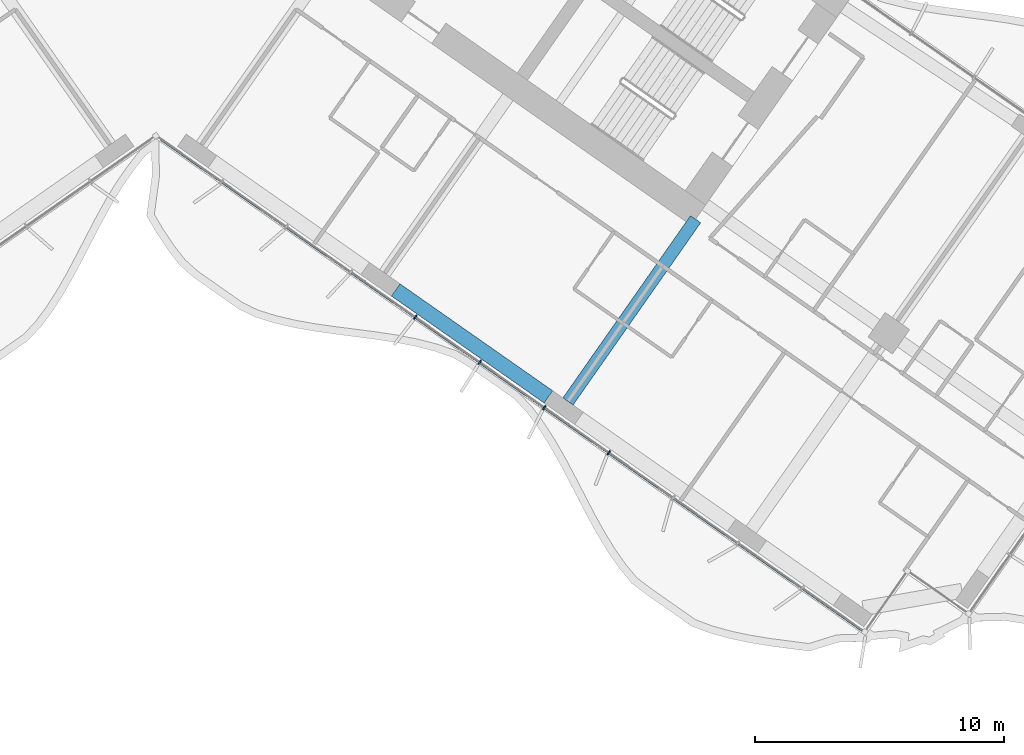
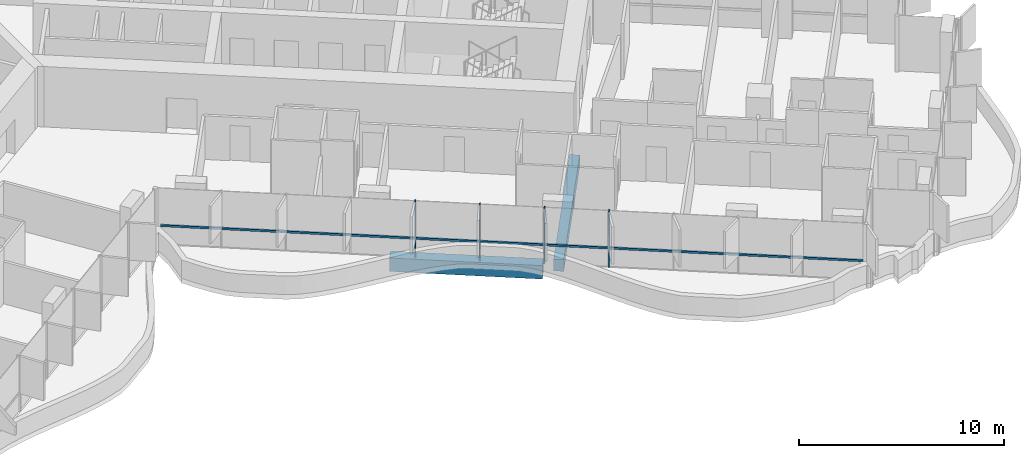
# One storey, part 5 of 23: 5 members, 2 beams, 1 element without a shape of its own.
"""IFC4 building model written with IfcOpenShell, lengths in metres."""

from ifc_helpers import new_model, si_unit, direction, frame, origin, origin_2d, place, context, subcontext, project, spatial, rectangle, extrude, material, material_profile, profile_set, type_object, element, aggregate, save


model = new_model("IFC4")

# Units and contexts
model_context = context("Model", 3, precision=1e-05, world=origin(), true_north=direction((0.0, 1.0)))
body_context = subcontext(model_context, "Body", "Model", "MODEL_VIEW")
ifc_project = project(units=[si_unit("LENGTHUNIT", "METRE"), si_unit("AREAUNIT", "SQUARE_METRE"), si_unit("VOLUMEUNIT", "CUBIC_METRE"), si_unit("PLANEANGLEUNIT", "RADIAN"), si_unit("MASSUNIT", "GRAM", prefix="KILO")], contexts=[model_context])

# Site, building, storey
site_placement = place(None, origin())
site = spatial("IfcSite", under=ifc_project, at=site_placement, CompositionType="ELEMENT")
building_placement = place(site_placement, origin())
building = spatial("IfcBuilding", under=site, at=building_placement, Name="Tel Ilan Convention Tower", CompositionType="ELEMENT")
storey_placement = place(building_placement, frame((0.0, 0.0, 94.10009765625)))
storey = spatial("IfcBuildingStorey", under=building, at=storey_placement, Name="L19", CompositionType="ELEMENT", Elevation=94.10009765625)

# Beams
ifc_material_1 = material(Name="Concrete C40/50", Category="concrete")
ifc_material_profile_1 = material_profile(ifc_material_1, rectangle(XDim=0.5, YDim=0.699951171875, at=origin_2d()), Name="RC 500x700")
ifc_profile_set_1 = profile_set([ifc_material_profile_1], Name="Concrete C40/50")
beam_type_1 = type_object("IfcBeamType", Name="Beam RC 500x700 Concrete C40/50", PredefinedType="BEAM", material=ifc_profile_set_1)
beam_1_placement = place(storey_placement, frame((16.58203125, -23.391357421875, -0.630126953125), z_axis=(0.573584999642, 0.819146048141, 0.0), x_axis=(-0.819146048141, 0.573584999642, 0.0)))
element("IfcBeam", 1, at=beam_1_placement, inside=storey, type_object=beam_type_1, Name="L19 beam E-E-F3-core", PredefinedType="BEAM", context=body_context, shape_type="SweptSolid", body=[
    extrude(rectangle(XDim=0.5, YDim=0.699951171875, at=origin_2d()), origin(), (0.0, 0.0, 1.0), 8.949951171875),
])
ifc_material_2 = material(Name="Concrete C40/50", Category="concrete")
ifc_material_profile_2 = material_profile(ifc_material_2, rectangle(XDim=0.60009765625, YDim=0.800048828125, at=origin_2d()), Name="RC 600x800")
ifc_profile_set_2 = profile_set([ifc_material_profile_2], Name="Concrete C40/50")
beam_type_2 = type_object("IfcBeamType", Name="Beam RC 600x800 Concrete C40/50", PredefinedType="BEAM", material=ifc_profile_set_2)
beam_2_placement = place(storey_placement, frame((9.652099609375, -18.905029296875, -0.68017578125), z_axis=(0.81915238829, -0.573575945067, 0.0), x_axis=(0.573575945067, 0.81915238829, 0.0)))
element("IfcBeam", 2, at=beam_2_placement, inside=storey, type_object=beam_type_2, Name="L19 beam E-E-F2-E-F3", PredefinedType="BEAM", context=body_context, shape_type="SweptSolid", body=[
    extrude(rectangle(XDim=0.60009765625, YDim=0.800048828125, at=origin_2d()), origin(), (0.0, 0.0, 1.0), 7.5),
])

# Curtain wall, members
ifc_material_3 = material(Name="Aluminium, bronze anodised", Category="aluminium")
curtain_wall_type = type_object("IfcCurtainWallType", Name="CW1 UNITISED CURTAIN WALL, HOTEL TINTED GLASS", PredefinedType="NOTDEFINED", material=ifc_material_3)
curtain_wall_placement = place(storey_placement, origin())
curtain_wall = element("IfcCurtainWall", 3, at=curtain_wall_placement, inside=storey, type_object=curtain_wall_type, Name="Curtain wall CW1-17.02", PredefinedType="NOTDEFINED")
ifc_material_4 = material(Name="Aluminium, bronze anodised", Category="aluminium")
ifc_material_profile_3 = material_profile(ifc_material_4, rectangle(XDim=0.06005859375, YDim=0.199951171875, at=origin_2d()), Name="CW MULLION 60x200")
ifc_profile_set_3 = profile_set([ifc_material_profile_3], Name="Aluminium, bronze anodised")
member_type_1 = type_object("IfcMemberType", Name="CW MULLION 60x200", PredefinedType="MULLION", material=ifc_profile_set_3)
member_1_placement = place(storey_placement, frame((10.4375, -20.004638671875, 0.0), z_axis=(0.0, 0.0, 1.0), x_axis=(0.819152044289, -0.573576436351, 0.0)))
member_1 = element("IfcMember", 4, at=member_1_placement, type_object=member_type_1, Name="Mullion", PredefinedType="MULLION", context=body_context, shape_type="SweptSolid", body=[
    extrude(rectangle(XDim=0.06005859375, YDim=0.199951171875, at=origin_2d()), origin(), (0.0, 0.0, 1.0), 3.31982421875),
])
member_2_placement = place(storey_placement, frame((13.03271484375, -21.821533203125, 0.0), z_axis=(0.0, 0.0, 1.0), x_axis=(0.819152044289, -0.573576436351, 0.0)))
member_2 = element("IfcMember", 5, at=member_2_placement, type_object=member_type_1, Name="Mullion", PredefinedType="MULLION", context=body_context, shape_type="SweptSolid", body=[
    extrude(rectangle(XDim=0.06005859375, YDim=0.199951171875, at=origin_2d()), origin(), (0.0, 0.0, 1.0), 3.31982421875),
])
member_3_placement = place(storey_placement, frame((15.627685546875, -23.638671875, 0.0), z_axis=(0.0, 0.0, 1.0), x_axis=(0.819152044289, -0.573576436351, 0.0)))
member_3 = element("IfcMember", 6, at=member_3_placement, type_object=member_type_1, Name="Mullion", PredefinedType="MULLION", context=body_context, shape_type="SweptSolid", body=[
    extrude(rectangle(XDim=0.06005859375, YDim=0.199951171875, at=origin_2d()), origin(), (0.0, 0.0, 1.0), 3.31982421875),
])
member_4_placement = place(storey_placement, frame((18.222900390625, -25.455810546875, 0.0), z_axis=(0.0, 0.0, 1.0), x_axis=(0.819152044289, -0.573576436351, 0.0)))
member_4 = element("IfcMember", 7, at=member_4_placement, type_object=member_type_1, Name="Mullion", PredefinedType="MULLION", context=body_context, shape_type="SweptSolid", body=[
    extrude(rectangle(XDim=0.06005859375, YDim=0.199951171875, at=origin_2d()), origin(), (0.0, 0.0, 1.0), 3.31982421875),
])
ifc_material_5 = material(Name="Aluminium, bronze anodised", Category="aluminium")
ifc_material_profile_4 = material_profile(ifc_material_5, rectangle(XDim=0.10009765625, YDim=0.1201171875, at=origin_2d()), Name="CW TRANSOM 100x120")
ifc_profile_set_4 = profile_set([ifc_material_profile_4], Name="Aluminium, bronze anodised")
member_type_2 = type_object("IfcMemberType", Name="CW TRANSOM 100x120", PredefinedType="USERDEFINED", material=ifc_profile_set_4)
member_5_placement = place(storey_placement, frame((0.22119140625, -12.850830078125, 1.099853515625), z_axis=(0.819151003602, -0.573577922604, 0.0), x_axis=(0.573577922604, 0.819151003602, 0.0)))
member_5 = element("IfcMember", 8, at=member_5_placement, type_object=member_type_2, Name="Transom", ObjectType="TRANSOM", PredefinedType="USERDEFINED", context=body_context, shape_type="SweptSolid", body=[
    extrude(rectangle(XDim=0.10009765625, YDim=0.1201171875, at=origin_2d()), origin(), (0.0, 0.0, 1.0), 34.447998046875),
])
aggregate(curtain_wall, [member_1, member_2, member_3, member_4, member_5])

save(model, "model.ifc")
